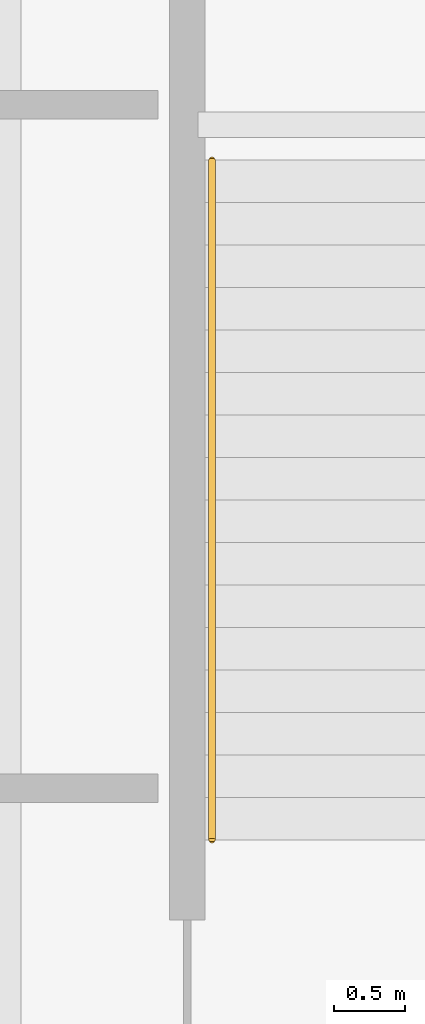
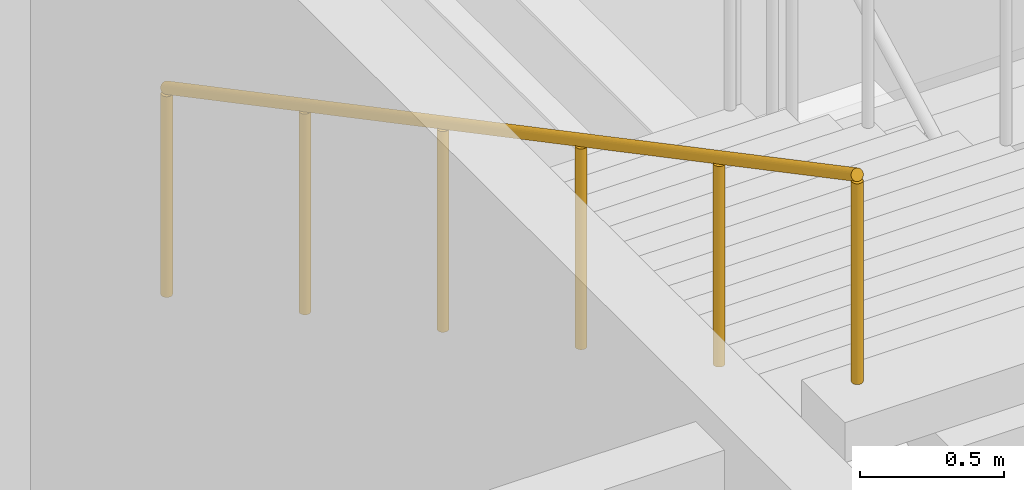
# One storey, part 69 of 89: 1 railing.
"""IFC4 building model written with IfcOpenShell, lengths in metres."""

import ifcopenshell
import ifcopenshell.guid

model = None  # the IFC model being written
_history = None  # IfcOwnerHistory: only IFC2X3 demands one
_inside = {}  # id of a spatial element -> (the spatial element, [elements in it])
_under = {}  # id of a project, library or spatial element -> (it, [spatial elements below it])
_declared = {}  # id of a project -> (the project, [libraries it declares])
_typed = {}  # id of a type object -> (the type object, [elements of that type])
_made_of = {}  # id of a material, layer set ... -> (it, [elements and type objects made of it])


def new_model(schema):
    """Start an empty IFC model of exactly this schema.

    Asked for "IFC4X3", IfcOpenShell would pick the latest addendum, in which some entities
    have other attributes; the version numbers below select the first issue.
    IFC2X3 requires an IfcOwnerHistory on every rooted entity: one is made here for all.
    """
    global model, _history
    if schema == "IFC4X3":
        model = ifcopenshell.file(schema_version=(4, 3, 0, 0))
    else:
        model = ifcopenshell.file(schema=schema)
    _inside.clear()
    _under.clear()
    _declared.clear()
    _typed.clear()
    _made_of.clear()
    _history = None
    if model.schema == "IFC2X3":
        org = make("IfcOrganization", Name="unknown")
        user = make(
            "IfcPersonAndOrganization",
            ThePerson=make("IfcPerson", FamilyName="unknown"),
            TheOrganization=org,
        )
        app = make(
            "IfcApplication",
            ApplicationDeveloper=org,
            Version="unknown",
            ApplicationFullName="unknown",
            ApplicationIdentifier="unknown",
        )
        _history = make(
            "IfcOwnerHistory",
            OwningUser=user,
            OwningApplication=app,
            ChangeAction="ADDED",
            CreationDate=0,
        )
    return model


def make(cls, **values):
    """One entity of the class cls with the attributes given. An attribute that is None is left unset."""
    return model.create_entity(
        cls, **{name: value for name, value in values.items() if value is not None}
    )


def rooted(cls, **values):
    """An entity with a GlobalId (a new one), such as an element, a storey or a relation."""
    return make(cls, GlobalId=ifcopenshell.guid.new(), OwnerHistory=_history, **values)


def si_unit(unit_type, name, prefix=None):
    """IfcSIUnit, for example si_unit("LENGTHUNIT", "METRE", prefix="MILLI")."""
    return make("IfcSIUnit", UnitType=unit_type, Prefix=prefix, Name=name)


def assignment(units):
    """IfcUnitAssignment: the units of a project."""
    return None if units is None else make("IfcUnitAssignment", Units=units)


def point(xyz):
    """IfcCartesianPoint."""
    return None if xyz is None else make("IfcCartesianPoint", Coordinates=xyz)


def direction(xyz):
    """IfcDirection."""
    return None if xyz is None else make("IfcDirection", DirectionRatios=xyz)


def frame(location, z_axis=None, x_axis=None):
    """IfcAxis2Placement3D, a coordinate frame: its origin and axes. An axis left out is left unset."""
    return make(
        "IfcAxis2Placement3D",
        Location=point(location),
        Axis=direction(z_axis),
        RefDirection=direction(x_axis),
    )


def frame_2d(location, x_axis=None):
    """IfcAxis2Placement2D, a coordinate frame in the plane: its origin and x axis."""
    return make(
        "IfcAxis2Placement2D", Location=point(location), RefDirection=direction(x_axis)
    )


def origin():
    """The frame at (0, 0, 0) with its axes left unset."""
    return frame((0.0, 0.0, 0.0))


def origin_2d():
    """The frame at (0, 0) in the plane with its x axis left unset."""
    return frame_2d((0.0, 0.0))


def place(relative_to, where):
    """IfcLocalPlacement: puts the frame where relative to a parent placement (None: the world)."""
    return make(
        "IfcLocalPlacement", PlacementRelTo=relative_to, RelativePlacement=where
    )


def context(
    kind, dimensions, precision=None, world=None, true_north=None, identifier=None
):
    """IfcGeometricRepresentationContext, for example the 3D "Model" context."""
    return make(
        "IfcGeometricRepresentationContext",
        ContextIdentifier=identifier,
        ContextType=kind,
        CoordinateSpaceDimension=dimensions,
        Precision=precision,
        WorldCoordinateSystem=world,
        TrueNorth=true_north,
    )


def subcontext(parent, identifier, kind, view, scale=None):
    """IfcGeometricRepresentationSubContext, for example "Body" below "Model"."""
    return make(
        "IfcGeometricRepresentationSubContext",
        ContextIdentifier=identifier,
        ContextType=kind,
        ParentContext=parent,
        TargetScale=scale,
        TargetView=view,
    )


def project(units=None, contexts=None):
    """IfcProject with its units and contexts."""
    return rooted(
        "IfcProject",
        Name="project",
        RepresentationContexts=contexts,
        UnitsInContext=assignment(units),
    )


def spatial(cls, under=None, at=None, **own):
    """A site, building, storey or space (cls), placed at a placement, below another one or the project."""
    s = rooted(cls, ObjectPlacement=at, **own)
    if under is not None:
        _under.setdefault(under.id(), (under, []))[1].append(s)
    return s


def profile(cls, at=None, kind="AREA", **sizes):
    """A parametric profile (cls). Its sizes go by their IFC names, for example OverallWidth=200.0."""
    return make(cls, ProfileType=kind, Position=at, **sizes)


def circle(**sizes):
    """IfcCircleProfileDef."""
    return profile("IfcCircleProfileDef", **sizes)


def extrude(swept, where, along, depth):
    """IfcExtrudedAreaSolid: the profile swept, set in the frame where, extruded along a direction by depth."""
    return make(
        "IfcExtrudedAreaSolid",
        SweptArea=swept,
        Position=where,
        ExtrudedDirection=direction(along),
        Depth=depth,
    )


def shape(context_of_items, identifier, shape_type, items):
    """IfcShapeRepresentation: the items that make up one representation, for example the "Body"."""
    return make(
        "IfcShapeRepresentation",
        ContextOfItems=context_of_items,
        RepresentationIdentifier=identifier,
        RepresentationType=shape_type,
        Items=items,
    )


def material(Name=None, Category=None):
    """IfcMaterial."""
    return make("IfcMaterial", Name=Name, Category=Category)


def made_of(thing, what):
    """Note that an element or type object is made of a material, layer set ...; save() writes the relation."""
    if what is not None:
        _made_of.setdefault(what.id(), (what, []))[1].append(thing)
    return thing


def type_object(cls, material=None, **own):
    """A type object (cls), such as IfcWallType, which elements share."""
    return made_of(rooted(cls, **own), material)


def element(
    cls,
    number,
    at=None,
    inside=None,
    cuts=None,
    type_object=None,
    material=None,
    context=None,
    identifier="Body",
    shape_type=None,
    held_by="IfcProductDefinitionShape",
    body=None,
    shapes=None,
    **own,
):
    """One element of the class cls, such as IfcWall. Its Tag is "e" and its number.

    at: its placement. inside: the storey or other place that contains it. cuts: it is an
    opening in that element (IfcRelVoidsElement). A single representation is given by context,
    identifier, shape_type and body (its items); several are given by shapes. held_by: the class
    of the entity that holds the representations. save() writes the other relations.
    """
    e = rooted(cls, Tag="e%d" % number, ObjectPlacement=at, **own)
    if body is not None:
        shapes = [shape(context, identifier, shape_type, body)]
    if shapes is not None:
        e.Representation = make(held_by, Representations=shapes)
    if inside is not None:
        _inside.setdefault(inside.id(), (inside, []))[1].append(e)
    if cuts is not None:
        rooted(
            "IfcRelVoidsElement", RelatingBuildingElement=cuts, RelatedOpeningElement=e
        )
    if type_object is not None:
        _typed.setdefault(type_object.id(), (type_object, []))[1].append(e)
    return made_of(e, material)


def aggregate(whole, parts):
    """IfcRelAggregates: a whole, such as a stair, and the parts it consists of."""
    return rooted("IfcRelAggregates", RelatingObject=whole, RelatedObjects=parts)


def save(model, path):
    """Write the relations noted so far, then the file.

    IfcRelAggregates (storeys below a building ...), IfcRelContainedInSpatialStructure (elements
    in a storey), IfcRelDefinesByType, IfcRelAssociatesMaterial and IfcRelDeclares: one each for
    every whole, place, type object, material and project.
    """
    for whole, parts in _under.values():
        aggregate(whole, parts)
    for where, things in _inside.values():
        rooted(
            "IfcRelContainedInSpatialStructure",
            RelatedElements=things,
            RelatingStructure=where,
        )
    for kind, things in _typed.values():
        rooted("IfcRelDefinesByType", RelatedObjects=things, RelatingType=kind)
    for what, things in _made_of.values():
        rooted("IfcRelAssociatesMaterial", RelatedObjects=things, RelatingMaterial=what)
    for by, libraries in _declared.values():
        rooted("IfcRelDeclares", RelatingContext=by, RelatedDefinitions=libraries)
    model.write(path)


model = new_model("IFC4")

# Units and contexts
model_context = context("Model", 3, precision=1e-05, world=origin(), true_north=direction((0.0, 1.0)))
body_context = subcontext(model_context, "Body", "Model", "MODEL_VIEW")
ifc_project = project(units=[si_unit("LENGTHUNIT", "METRE"), si_unit("AREAUNIT", "SQUARE_METRE"), si_unit("VOLUMEUNIT", "CUBIC_METRE"), si_unit("PLANEANGLEUNIT", "RADIAN"), si_unit("MASSUNIT", "GRAM", prefix="KILO")], contexts=[model_context])

# Site, building, storey
site_placement = place(None, origin())
site = spatial("IfcSite", under=ifc_project, at=site_placement, CompositionType="ELEMENT")
building_placement = place(site_placement, origin())
building = spatial("IfcBuilding", under=site, at=building_placement, Name="Koshinbarg Plaza Stadium", CompositionType="ELEMENT")
storey_placement = place(building_placement, origin())
storey = spatial("IfcBuildingStorey", under=building, at=storey_placement, Name="L00", CompositionType="ELEMENT", Elevation=0.0)

# Railing
ifc_material = material(Name="Brushed stainless steel handrail", Category="steel")
railing_type = type_object("IfcRailingType", Name="RL-HAND-900", PredefinedType="HANDRAIL", material=ifc_material)
railing_placement = place(storey_placement, frame((47.85009765625, 121.159912109375, 2.85888671875)))
element("IfcRailing", 1, at=railing_placement, inside=storey, type_object=railing_type, Name="L00 VL04 stair handrail 2", PredefinedType="HANDRAIL", context=body_context, shape_type="SweptSolid", body=[
    extrude(circle(Radius=0.02392578125, at=origin_2d()), frame((0.0, 0.0, 0.8759765625), z_axis=(0.0, -0.883792290195, 0.467879458614), x_axis=(1.0, 0.0, 0.0)), (0.0, 0.0, 1.0), 5.430908203125),
    extrude(circle(Radius=0.02099609375, at=origin_2d()), origin(), (0.0, 0.0, 1.0), 0.851806640625),
    extrude(circle(Radius=0.02099609375, at=origin_2d()), frame((0.0, -0.9599609375, 0.50830078125)), (0.0, 0.0, 1.0), 0.851806640625),
    extrude(circle(Radius=0.02099609375, at=origin_2d()), frame((0.0, -1.919921875, 1.016357421875)), (0.0, 0.0, 1.0), 0.851806640625),
    extrude(circle(Radius=0.02099609375, at=origin_2d()), frame((0.0, -2.8798828125, 1.524658203125)), (0.0, 0.0, 1.0), 0.851806640625),
    extrude(circle(Radius=0.02099609375, at=origin_2d()), frame((0.0, -3.83984375, 2.03271484375)), (0.0, 0.0, 1.0), 0.851806640625),
    extrude(circle(Radius=0.02099609375, at=origin_2d()), frame((0.0, -4.7998046875, 2.541015625)), (0.0, 0.0, 1.0), 0.851806640625),
])

save(model, "model.ifc")
